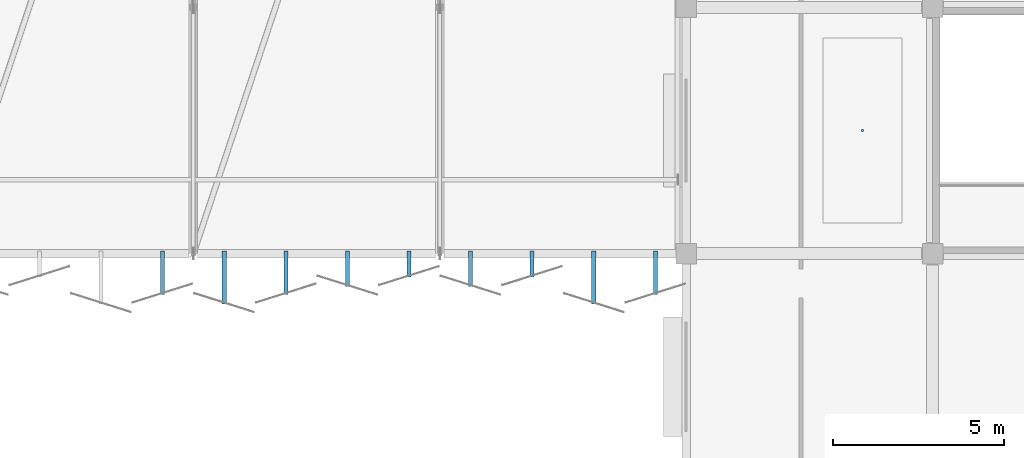
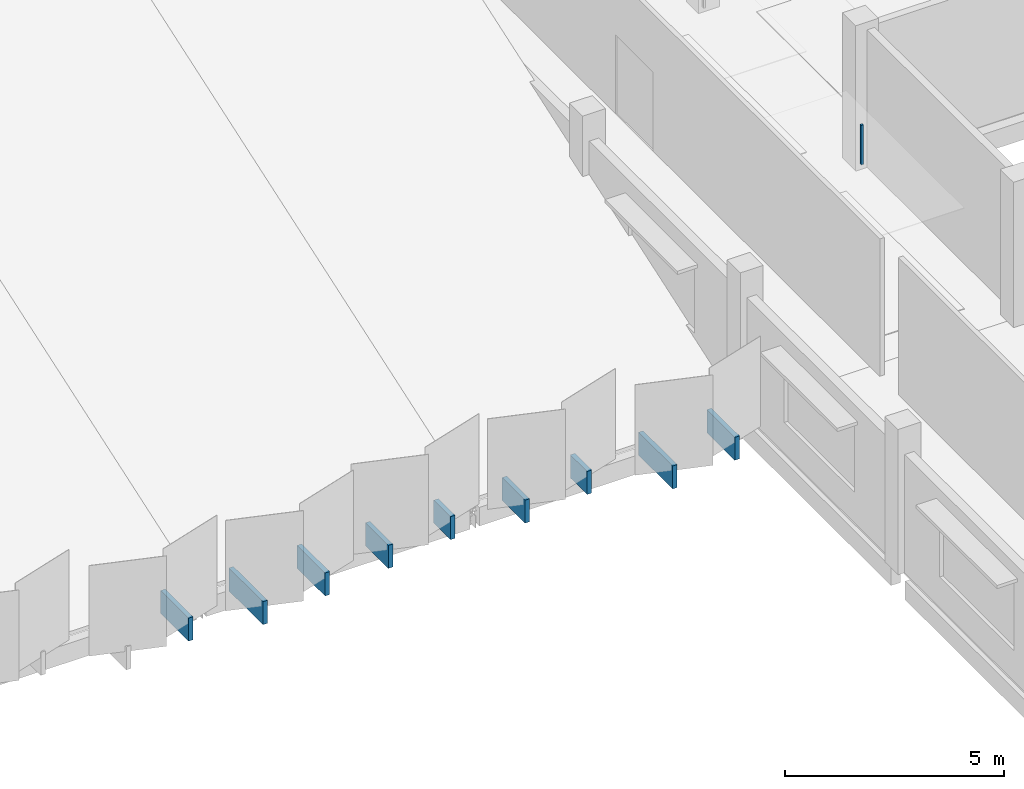
# One storey, part 54 of 59: 10 discrete accessories.
"""IFC4 building model written with IfcOpenShell, lengths in metres."""

from ifc_helpers import new_model, si_unit, direction, frame, origin, origin_2d, place, context, subcontext, project, spatial, rectangle, extrude, material, type_object, element, save


model = new_model("IFC4")

# Units and contexts
model_context = context("Model", 3, precision=1e-05, world=origin(), true_north=direction((0.0, 1.0)))
body_context = subcontext(model_context, "Body", "Model", "MODEL_VIEW")
ifc_project = project(units=[si_unit("LENGTHUNIT", "METRE"), si_unit("AREAUNIT", "SQUARE_METRE"), si_unit("VOLUMEUNIT", "CUBIC_METRE"), si_unit("PLANEANGLEUNIT", "RADIAN"), si_unit("MASSUNIT", "GRAM", prefix="KILO")], contexts=[model_context])

# Site, building, storey
site_placement = place(None, origin())
site = spatial("IfcSite", under=ifc_project, at=site_placement, CompositionType="ELEMENT")
building_placement = place(site_placement, origin())
building = spatial("IfcBuilding", under=site, at=building_placement, Name="Kangsadwip Square Police Headquarters", CompositionType="ELEMENT")
storey_placement = place(building_placement, frame((0.0, 0.0, 21.60009765625)))
storey = spatial("IfcBuildingStorey", under=building, at=storey_placement, Name="L05", CompositionType="ELEMENT", Elevation=21.60009765625)

# Discrete accessories
ifc_material = material(Name="Structural steel IS 2062 E350 (Grade 350, 350 MPa)", Category="steel")
discrete_accessory_type = type_object("IfcDiscreteAccessoryType", Name="VeilOutriggerBracket", PredefinedType="BRACKET", material=ifc_material)
discrete_accessory_1_placement = place(storey_placement, frame((128.699951171875, 93.042724609375, -0.39990234375), z_axis=(0.0, 0.0, 1.0), x_axis=(1.0, 0.0, 0.0)))
element("IfcDiscreteAccessory", 1, at=discrete_accessory_1_placement, inside=storey, type_object=discrete_accessory_type, Name="Veil Outrigger Bracket VBK-L05-0384", PredefinedType="BRACKET", context=body_context, shape_type="SweptSolid", body=[
    extrude(rectangle(XDim=0.1201171875, YDim=1.274658203125, at=origin_2d()), origin(), (0.0, 0.0, 1.0), 0.639892578125),
])
discrete_accessory_2_placement = place(storey_placement, frame((130.5, 92.902587890625, -0.39990234375), z_axis=(0.0, 0.0, 1.0), x_axis=(1.0, 0.0, 0.0)))
element("IfcDiscreteAccessory", 2, at=discrete_accessory_2_placement, inside=storey, type_object=discrete_accessory_type, Name="Veil Outrigger Bracket VBK-L05-0385", PredefinedType="BRACKET", context=body_context, shape_type="SweptSolid", body=[
    extrude(rectangle(XDim=0.1201171875, YDim=1.5546875, at=origin_2d()), origin(), (0.0, 0.0, 1.0), 0.639892578125),
])
discrete_accessory_3_placement = place(storey_placement, frame((132.300048828125, 93.042724609375, -0.39990234375), z_axis=(0.0, 0.0, 1.0), x_axis=(1.0, 0.0, 0.0)))
element("IfcDiscreteAccessory", 3, at=discrete_accessory_3_placement, inside=storey, type_object=discrete_accessory_type, Name="Veil Outrigger Bracket VBK-L05-0386", PredefinedType="BRACKET", context=body_context, shape_type="SweptSolid", body=[
    extrude(rectangle(XDim=0.1201171875, YDim=1.274658203125, at=origin_2d()), origin(), (0.0, 0.0, 1.0), 0.639892578125),
])
discrete_accessory_4_placement = place(storey_placement, frame((134.10009765625, 93.1572265625, -0.39990234375), z_axis=(0.0, 0.0, 1.0), x_axis=(1.0, 0.0, 0.0)))
element("IfcDiscreteAccessory", 4, at=discrete_accessory_4_placement, inside=storey, type_object=discrete_accessory_type, Name="Veil Outrigger Bracket VBK-L05-0387", PredefinedType="BRACKET", context=body_context, shape_type="SweptSolid", body=[
    extrude(rectangle(XDim=0.1201171875, YDim=1.04541015625, at=origin_2d()), origin(), (0.0, 0.0, 1.0), 0.639892578125),
])
discrete_accessory_5_placement = place(storey_placement, frame((135.89990234375, 93.29736328125, -0.39990234375), z_axis=(0.0, 0.0, 1.0), x_axis=(1.0, 0.0, 0.0)))
element("IfcDiscreteAccessory", 5, at=discrete_accessory_5_placement, inside=storey, type_object=discrete_accessory_type, Name="Veil Outrigger Bracket VBK-L05-0388", PredefinedType="BRACKET", context=body_context, shape_type="SweptSolid", body=[
    extrude(rectangle(XDim=0.1201171875, YDim=0.765380859375, at=origin_2d()), origin(), (0.0, 0.0, 1.0), 0.639892578125),
])
discrete_accessory_6_placement = place(storey_placement, frame((137.699951171875, 93.1572265625, -0.39990234375), z_axis=(0.0, 0.0, 1.0), x_axis=(1.0, 0.0, 0.0)))
element("IfcDiscreteAccessory", 6, at=discrete_accessory_6_placement, inside=storey, type_object=discrete_accessory_type, Name="Veil Outrigger Bracket VBK-L05-0389", PredefinedType="BRACKET", context=body_context, shape_type="SweptSolid", body=[
    extrude(rectangle(XDim=0.1201171875, YDim=1.04541015625, at=origin_2d()), origin(), (0.0, 0.0, 1.0), 0.639892578125),
])
discrete_accessory_7_placement = place(storey_placement, frame((139.5, 93.29736328125, -0.39990234375), z_axis=(0.0, 0.0, 1.0), x_axis=(1.0, 0.0, 0.0)))
element("IfcDiscreteAccessory", 7, at=discrete_accessory_7_placement, inside=storey, type_object=discrete_accessory_type, Name="Veil Outrigger Bracket VBK-L05-0390", PredefinedType="BRACKET", context=body_context, shape_type="SweptSolid", body=[
    extrude(rectangle(XDim=0.1201171875, YDim=0.765380859375, at=origin_2d()), origin(), (0.0, 0.0, 1.0), 0.639892578125),
])
discrete_accessory_8_placement = place(storey_placement, frame((141.300048828125, 92.902587890625, -0.39990234375), z_axis=(0.0, 0.0, 1.0), x_axis=(1.0, 0.0, 0.0)))
element("IfcDiscreteAccessory", 8, at=discrete_accessory_8_placement, inside=storey, type_object=discrete_accessory_type, Name="Veil Outrigger Bracket VBK-L05-0391", PredefinedType="BRACKET", context=body_context, shape_type="SweptSolid", body=[
    extrude(rectangle(XDim=0.1201171875, YDim=1.5546875, at=origin_2d()), origin(), (0.0, 0.0, 1.0), 0.639892578125),
])
discrete_accessory_9_placement = place(storey_placement, frame((143.10009765625, 93.042724609375, -0.39990234375), z_axis=(0.0, 0.0, 1.0), x_axis=(1.0, 0.0, 0.0)))
element("IfcDiscreteAccessory", 9, at=discrete_accessory_9_placement, inside=storey, type_object=discrete_accessory_type, Name="Veil Outrigger Bracket VBK-L05-0392", PredefinedType="BRACKET", context=body_context, shape_type="SweptSolid", body=[
    extrude(rectangle(XDim=0.1201171875, YDim=1.274658203125, at=origin_2d()), origin(), (0.0, 0.0, 1.0), 0.639892578125),
])
discrete_accessory_10_placement = place(storey_placement, frame((149.14990234375, 97.199951171875, 2.809814453125), z_axis=(0.0, 0.0, 1.0), x_axis=(1.0, 0.0, 0.0)))
element("IfcDiscreteAccessory", 10, at=discrete_accessory_10_placement, inside=storey, type_object=discrete_accessory_type, Name="Ceiling Suspension Hanger L05-133", PredefinedType="BRACKET", context=body_context, shape_type="SweptSolid", body=[
    extrude(rectangle(XDim=0.06005859375, YDim=0.06005859375, at=origin_2d()), origin(), (0.0, 0.0, 1.0), 1.10009765625),
])

save(model, "model.ifc")
